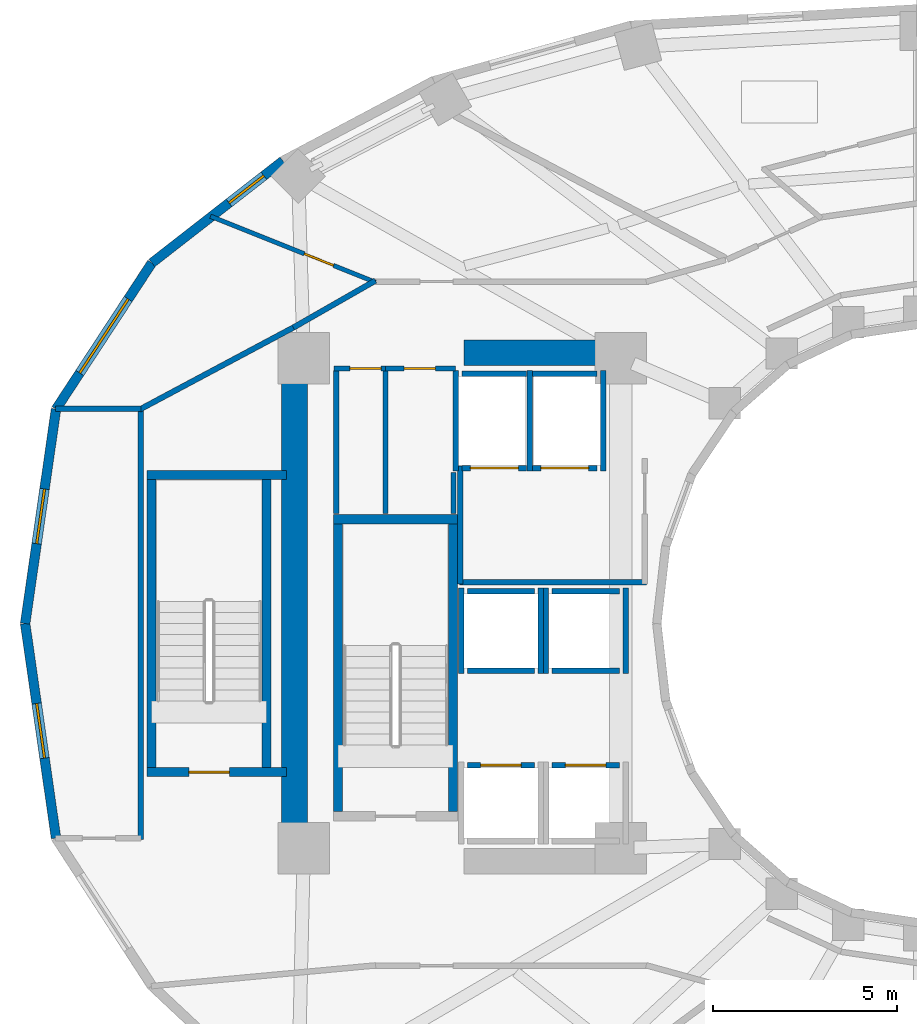
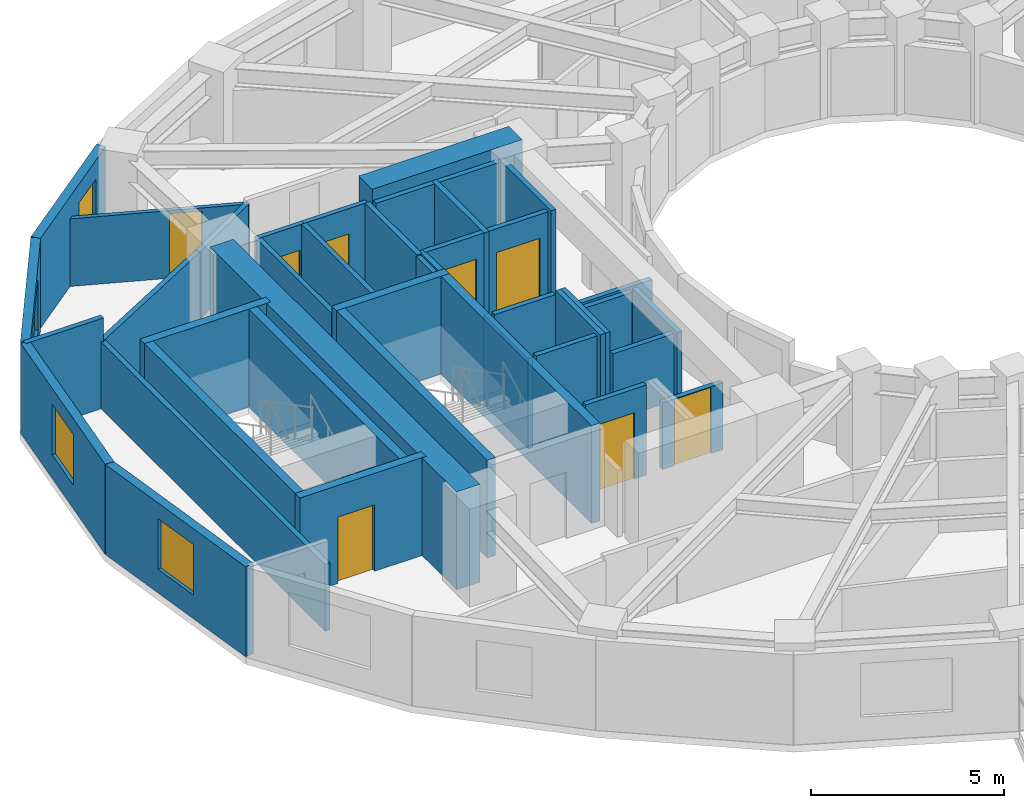
# One storey, part 4 of 9: 42 walls, 8 doors, 4 windows, 12 openings.
"""IFC4 building model written with IfcOpenShell, lengths in metres."""

import ifcopenshell
import ifcopenshell.guid

model = None  # the IFC model being written
_history = None  # IfcOwnerHistory: only IFC2X3 demands one
_inside = {}  # id of a spatial element -> (the spatial element, [elements in it])
_under = {}  # id of a project, library or spatial element -> (it, [spatial elements below it])
_declared = {}  # id of a project -> (the project, [libraries it declares])
_typed = {}  # id of a type object -> (the type object, [elements of that type])
_made_of = {}  # id of a material, layer set ... -> (it, [elements and type objects made of it])


def new_model(schema):
    """Start an empty IFC model of exactly this schema.

    Asked for "IFC4X3", IfcOpenShell would pick the latest addendum, in which some entities
    have other attributes; the version numbers below select the first issue.
    IFC2X3 requires an IfcOwnerHistory on every rooted entity: one is made here for all.
    """
    global model, _history
    if schema == "IFC4X3":
        model = ifcopenshell.file(schema_version=(4, 3, 0, 0))
    else:
        model = ifcopenshell.file(schema=schema)
    _inside.clear()
    _under.clear()
    _declared.clear()
    _typed.clear()
    _made_of.clear()
    _history = None
    if model.schema == "IFC2X3":
        org = make("IfcOrganization", Name="unknown")
        user = make(
            "IfcPersonAndOrganization",
            ThePerson=make("IfcPerson", FamilyName="unknown"),
            TheOrganization=org,
        )
        app = make(
            "IfcApplication",
            ApplicationDeveloper=org,
            Version="unknown",
            ApplicationFullName="unknown",
            ApplicationIdentifier="unknown",
        )
        _history = make(
            "IfcOwnerHistory",
            OwningUser=user,
            OwningApplication=app,
            ChangeAction="ADDED",
            CreationDate=0,
        )
    return model


def make(cls, **values):
    """One entity of the class cls with the attributes given. An attribute that is None is left unset."""
    return model.create_entity(
        cls, **{name: value for name, value in values.items() if value is not None}
    )


def rooted(cls, **values):
    """An entity with a GlobalId (a new one), such as an element, a storey or a relation."""
    return make(cls, GlobalId=ifcopenshell.guid.new(), OwnerHistory=_history, **values)


def si_unit(unit_type, name, prefix=None):
    """IfcSIUnit, for example si_unit("LENGTHUNIT", "METRE", prefix="MILLI")."""
    return make("IfcSIUnit", UnitType=unit_type, Prefix=prefix, Name=name)


def assignment(units):
    """IfcUnitAssignment: the units of a project."""
    return None if units is None else make("IfcUnitAssignment", Units=units)


def point(xyz):
    """IfcCartesianPoint."""
    return None if xyz is None else make("IfcCartesianPoint", Coordinates=xyz)


def direction(xyz):
    """IfcDirection."""
    return None if xyz is None else make("IfcDirection", DirectionRatios=xyz)


def frame(location, z_axis=None, x_axis=None):
    """IfcAxis2Placement3D, a coordinate frame: its origin and axes. An axis left out is left unset."""
    return make(
        "IfcAxis2Placement3D",
        Location=point(location),
        Axis=direction(z_axis),
        RefDirection=direction(x_axis),
    )


def frame_2d(location, x_axis=None):
    """IfcAxis2Placement2D, a coordinate frame in the plane: its origin and x axis."""
    return make(
        "IfcAxis2Placement2D", Location=point(location), RefDirection=direction(x_axis)
    )


def origin():
    """The frame at (0, 0, 0) with its axes left unset."""
    return frame((0.0, 0.0, 0.0))


def place(relative_to, where):
    """IfcLocalPlacement: puts the frame where relative to a parent placement (None: the world)."""
    return make(
        "IfcLocalPlacement", PlacementRelTo=relative_to, RelativePlacement=where
    )


def context(
    kind, dimensions, precision=None, world=None, true_north=None, identifier=None
):
    """IfcGeometricRepresentationContext, for example the 3D "Model" context."""
    return make(
        "IfcGeometricRepresentationContext",
        ContextIdentifier=identifier,
        ContextType=kind,
        CoordinateSpaceDimension=dimensions,
        Precision=precision,
        WorldCoordinateSystem=world,
        TrueNorth=true_north,
    )


def subcontext(parent, identifier, kind, view, scale=None):
    """IfcGeometricRepresentationSubContext, for example "Body" below "Model"."""
    return make(
        "IfcGeometricRepresentationSubContext",
        ContextIdentifier=identifier,
        ContextType=kind,
        ParentContext=parent,
        TargetScale=scale,
        TargetView=view,
    )


def project(units=None, contexts=None):
    """IfcProject with its units and contexts."""
    return rooted(
        "IfcProject",
        Name="project",
        RepresentationContexts=contexts,
        UnitsInContext=assignment(units),
    )


def spatial(cls, under=None, at=None, **own):
    """A site, building, storey or space (cls), placed at a placement, below another one or the project."""
    s = rooted(cls, ObjectPlacement=at, **own)
    if under is not None:
        _under.setdefault(under.id(), (under, []))[1].append(s)
    return s


def profile(cls, at=None, kind="AREA", **sizes):
    """A parametric profile (cls). Its sizes go by their IFC names, for example OverallWidth=200.0."""
    return make(cls, ProfileType=kind, Position=at, **sizes)


def rectangle(**sizes):
    """IfcRectangleProfileDef."""
    return profile("IfcRectangleProfileDef", **sizes)


def extrude(swept, where, along, depth):
    """IfcExtrudedAreaSolid: the profile swept, set in the frame where, extruded along a direction by depth."""
    return make(
        "IfcExtrudedAreaSolid",
        SweptArea=swept,
        Position=where,
        ExtrudedDirection=direction(along),
        Depth=depth,
    )


def shape(context_of_items, identifier, shape_type, items):
    """IfcShapeRepresentation: the items that make up one representation, for example the "Body"."""
    return make(
        "IfcShapeRepresentation",
        ContextOfItems=context_of_items,
        RepresentationIdentifier=identifier,
        RepresentationType=shape_type,
        Items=items,
    )


def material(Name=None, Category=None):
    """IfcMaterial."""
    return make("IfcMaterial", Name=Name, Category=Category)


def layer(
    of_material, thickness, ventilated=None, Name=None, Category=None, Priority=None
):
    """IfcMaterialLayer: one layer of a wall or slab, of a material (None: an air gap)."""
    return make(
        "IfcMaterialLayer",
        Material=of_material,
        LayerThickness=thickness,
        IsVentilated=ventilated,
        Name=Name,
        Category=Category,
        Priority=Priority,
    )


def layer_set(layers, Name=None):
    """IfcMaterialLayerSet."""
    return make("IfcMaterialLayerSet", MaterialLayers=layers, LayerSetName=Name)


def made_of(thing, what):
    """Note that an element or type object is made of a material, layer set ...; save() writes the relation."""
    if what is not None:
        _made_of.setdefault(what.id(), (what, []))[1].append(thing)
    return thing


def type_object(cls, material=None, **own):
    """A type object (cls), such as IfcWallType, which elements share."""
    return made_of(rooted(cls, **own), material)


def element(
    cls,
    number,
    at=None,
    inside=None,
    cuts=None,
    type_object=None,
    material=None,
    context=None,
    identifier="Body",
    shape_type=None,
    held_by="IfcProductDefinitionShape",
    body=None,
    shapes=None,
    **own,
):
    """One element of the class cls, such as IfcWall. Its Tag is "e" and its number.

    at: its placement. inside: the storey or other place that contains it. cuts: it is an
    opening in that element (IfcRelVoidsElement). A single representation is given by context,
    identifier, shape_type and body (its items); several are given by shapes. held_by: the class
    of the entity that holds the representations. save() writes the other relations.
    """
    e = rooted(cls, Tag="e%d" % number, ObjectPlacement=at, **own)
    if body is not None:
        shapes = [shape(context, identifier, shape_type, body)]
    if shapes is not None:
        e.Representation = make(held_by, Representations=shapes)
    if inside is not None:
        _inside.setdefault(inside.id(), (inside, []))[1].append(e)
    if cuts is not None:
        rooted(
            "IfcRelVoidsElement", RelatingBuildingElement=cuts, RelatedOpeningElement=e
        )
    if type_object is not None:
        _typed.setdefault(type_object.id(), (type_object, []))[1].append(e)
    return made_of(e, material)


def fill(opening, filler):
    """IfcRelFillsElement: the door or window that sits in an opening."""
    return rooted(
        "IfcRelFillsElement",
        RelatingOpeningElement=opening,
        RelatedBuildingElement=filler,
    )


def aggregate(whole, parts):
    """IfcRelAggregates: a whole, such as a stair, and the parts it consists of."""
    return rooted("IfcRelAggregates", RelatingObject=whole, RelatedObjects=parts)


def save(model, path):
    """Write the relations noted so far, then the file.

    IfcRelAggregates (storeys below a building ...), IfcRelContainedInSpatialStructure (elements
    in a storey), IfcRelDefinesByType, IfcRelAssociatesMaterial and IfcRelDeclares: one each for
    every whole, place, type object, material and project.
    """
    for whole, parts in _under.values():
        aggregate(whole, parts)
    for where, things in _inside.values():
        rooted(
            "IfcRelContainedInSpatialStructure",
            RelatedElements=things,
            RelatingStructure=where,
        )
    for kind, things in _typed.values():
        rooted("IfcRelDefinesByType", RelatedObjects=things, RelatingType=kind)
    for what, things in _made_of.values():
        rooted("IfcRelAssociatesMaterial", RelatedObjects=things, RelatingMaterial=what)
    for by, libraries in _declared.values():
        rooted("IfcRelDeclares", RelatingContext=by, RelatedDefinitions=libraries)
    model.write(path)


model = new_model("IFC4")

# Units and contexts
model_context = context("Model", 3, precision=1e-05, world=origin(), true_north=direction((0.0, 1.0)))
body_context = subcontext(model_context, "Body", "Model", "MODEL_VIEW")
ifc_project = project(units=[si_unit("LENGTHUNIT", "METRE"), si_unit("AREAUNIT", "SQUARE_METRE"), si_unit("VOLUMEUNIT", "CUBIC_METRE"), si_unit("PLANEANGLEUNIT", "RADIAN"), si_unit("MASSUNIT", "GRAM", prefix="KILO")], contexts=[model_context])

# Site, building, storey
site_placement = place(None, origin())
site = spatial("IfcSite", under=ifc_project, at=site_placement, CompositionType="ELEMENT")
building_placement = place(site_placement, origin())
building = spatial("IfcBuilding", under=site, at=building_placement, Name="Solvane Sanctuary Tower", CompositionType="ELEMENT")
storey_placement = place(building_placement, frame((0.0, 0.0, 98.0)))
storey = spatial("IfcBuildingStorey", under=building, at=storey_placement, Name="L29", CompositionType="ELEMENT", Elevation=98.0)

# Walls
ifc_material_1 = material(Name="Concrete C60/75", Category="concrete")
ifc_layer_1 = layer(ifc_material_1, 0.699951171875, Name="Concrete C60/75")
ifc_layer_set_1 = layer_set([ifc_layer_1], Name="Concrete C60/75")
wall_type_1 = type_object("IfcWallType", Name="Wall W-CORE-700", PredefinedType="SHEAR", material=ifc_layer_set_1)
wall_1_placement = place(storey_placement, frame((15.050048828125, 17.050048828125, 0.0), z_axis=(0.0, 0.0, 1.0), x_axis=(0.0, 1.0, 0.0)))
element("IfcWall", 1, at=wall_1_placement, inside=storey, type_object=wall_type_1, Name="L29 Core Shear Wall WC-W", PredefinedType="SHEAR", context=body_context, shape_type="SweptSolid", body=[
    extrude(rectangle(XDim=12.800048828125, YDim=0.699951171875, at=frame_2d((6.39990234375, 0.0))), origin(), (0.0, 0.0, 1.0), 3.10009765625),
])
wall_2_placement = place(storey_placement, frame((19.64990234375, 30.35009765625, 0.0), z_axis=(0.0, 0.0, 1.0), x_axis=(1.0, 0.0, 0.0)))
element("IfcWall", 2, at=wall_2_placement, inside=storey, type_object=wall_type_1, Name="L29 Core Shear Wall WC-N", PredefinedType="SHEAR", context=body_context, shape_type="SweptSolid", body=[
    extrude(rectangle(XDim=4.5, YDim=0.699951171875, at=frame_2d((2.25, 0.0))), origin(), (0.0, 0.0, 1.0), 3.10009765625),
])
ifc_material_2 = material(Name="Acoustic Gypsum Partition Board")
ifc_layer_2 = layer(ifc_material_2, 0.14990234375, Name="Acoustic Gypsum Partition Board")
ifc_layer_set_2 = layer_set([ifc_layer_2], Name="Acoustic Gypsum Partition Board")
wall_type_2 = type_object("IfcWallType", Name="Wall W-CORR-150", PredefinedType="PARTITIONING", material=ifc_layer_set_2)
wall_3_placement = place(storey_placement, frame((19.52001953125, 24.1201171875, 0.0), z_axis=(0.0, 0.0, 1.0), x_axis=(1.0, 0.0, 0.0)))
element("IfcWall", 3, at=wall_3_placement, inside=storey, type_object=wall_type_2, Name="L29 West Firefighting Lobby South Wall", PredefinedType="PARTITIONING", context=body_context, shape_type="SweptSolid", body=[
    extrude(rectangle(XDim=5.080078125, YDim=0.14990234375, at=frame_2d((2.5400390625, 0.0))), origin(), (0.0, 0.0, 1.0), 2.1201171875),
])
wall_4_placement = place(storey_placement, frame((19.550048828125, 24.080078125, 0.0), z_axis=(0.0, 0.0, 1.0), x_axis=(0.0, 1.0, 0.0)))
element("IfcWall", 4, at=wall_4_placement, inside=storey, type_object=wall_type_2, Name="L29 West Firefighting Lobby West Wall", PredefinedType="PARTITIONING", context=body_context, shape_type="SweptSolid", body=[
    extrude(rectangle(XDim=3.199951171875, YDim=0.14990234375, at=frame_2d((1.60009765625, 0.0))), origin(), (0.0, 0.0, 1.0), 2.85498046875),
])
wall_5_placement = place(storey_placement, frame((10.8798828125, 17.134765625, 0.0), z_axis=(0.0, 0.0, 1.0), x_axis=(0.0, 1.0, 0.0)))
element("IfcWall", 5, at=wall_5_placement, inside=storey, type_object=wall_type_2, Name="L29 West Shoulder Back Wall", PredefinedType="PARTITIONING", context=body_context, shape_type="SweptSolid", body=[
    extrude(rectangle(XDim=11.73046875, YDim=0.14990234375, at=frame_2d((5.865234375, 0.0))), origin(), (0.0, 0.0, 1.0), 2.1201171875),
])
wall_6_placement = place(storey_placement, frame((8.558349609375, 28.8251953125, 0.0), z_axis=(0.0, 0.0, 1.0), x_axis=(1.0, 0.0, 0.0)))
element("IfcWall", 6, at=wall_6_placement, inside=storey, type_object=wall_type_2, Name="L29 West Shoulder North Wall", PredefinedType="PARTITIONING", context=body_context, shape_type="SweptSolid", body=[
    extrude(rectangle(XDim=2.321533203125, YDim=0.14990234375, at=frame_2d((1.16064453125, 0.0))), origin(), (0.0, 0.0, 1.0), 2.85498046875),
])
wall_7_placement = place(storey_placement, frame((10.8447265625, 28.806396484375, 0.0), z_axis=(0.0, 0.0, 1.0), x_axis=(0.88227840565, 0.470727962759, 0.0)))
element("IfcWall", 7, at=wall_7_placement, inside=storey, type_object=wall_type_2, Name="L29 NW Corner Closer 1", PredefinedType="PARTITIONING", context=body_context, shape_type="SweptSolid", body=[
    extrude(rectangle(XDim=4.806396484375, YDim=0.14990234375, at=frame_2d((2.4033203125, 0.0))), origin(), (0.0, 0.0, 1.0), 2.14208984375),
])
wall_8_placement = place(storey_placement, frame((17.243408203125, 32.3046875, 0.0), z_axis=(0.0, 0.0, 1.0), x_axis=(-0.867991349648, -0.496579315857, 0.0)))
element("IfcWall", 8, at=wall_8_placement, inside=storey, type_object=wall_type_2, Name="L29 NW Corner Wing Wall", PredefinedType="PARTITIONING", context=body_context, shape_type="SweptSolid", body=[
    extrude(rectangle(XDim=2.56689453125, YDim=0.14990234375, at=frame_2d((1.283447265625, 0.0))), origin(), (0.0, 0.0, 1.0), 2.14208984375),
])

# Wall, opening, window
ifc_material_3 = material(Name="Precast concrete C40/50", Category="concrete")
ifc_layer_3 = layer(ifc_material_3, 0.260009765625, Name="Precast concrete C40/50")
ifc_layer_set_3 = layer_set([ifc_layer_3], Name="Precast concrete C40/50")
wall_type_3 = type_object("IfcWallType", Name="Wall W-EXT-250", PredefinedType="STANDARD", material=ifc_layer_set_3)
wall_9_placement = place(storey_placement, frame((14.734130859375, 35.55322265625, 0.0), z_axis=(0.0, 0.0, 1.0), x_axis=(-0.789127449954, -0.614229491094, 0.0)))
wall_9 = element("IfcWall", 9, at=wall_9_placement, inside=storey, type_object=wall_type_3, Name="L29 Ceramic-Printed Facade Wall 09", PredefinedType="STANDARD", context=body_context, shape_type="SweptSolid", body=[
    extrude(rectangle(XDim=4.504638671875, YDim=0.260009765625, at=frame_2d((2.25244140625, 0.0))), origin(), (0.0, 0.0, 1.0), 2.85009765625),
])
opening_1_placement = place(wall_9_placement, frame((0.65478515625, 0.0, 0.75)))
opening_1 = element("IfcOpeningElement", 10, at=opening_1_placement, cuts=wall_9, Name="Opening WN-OPER-1200", PredefinedType="OPENING", context=body_context, shape_type="SweptSolid", body=[
    extrude(rectangle(XDim=1.199951171875, YDim=1.5, at=frame_2d((0.60009765625, 0.75))), frame((0.0, 0.139892578125, 0.0), z_axis=(0.0, -1.0, 0.0), x_axis=(1.0, 0.0, 0.0)), (0.0, 0.0, 1.0), 0.280029296875),
])
ifc_material_4 = material(Name="Dark Ceramic-Fritted Low-E Glass", Category="glass")
window_type_1 = type_object("IfcWindowType", Name="Window WN-OPER-1200", PartitioningType="SINGLE_PANEL", PredefinedType="WINDOW", material=ifc_material_4)
window_1_placement = place(opening_1_placement, origin())
window_1 = element("IfcWindow", 11, at=window_1_placement, inside=storey, type_object=window_type_1, Name="L29 Operable Facade Window 09", OverallHeight=1.5, OverallWidth=1.199951171875, PartitioningType="SINGLE_PANEL", PredefinedType="WINDOW", context=body_context, shape_type="SweptSolid", body=[
    extrude(rectangle(XDim=1.199951171875, YDim=1.5, at=frame_2d((0.60009765625, 0.75))), frame((0.0, 0.030029296875, 0.0), z_axis=(0.0, -1.0, 0.0), x_axis=(1.0, 0.0, 0.0)), (0.0, 0.0, 1.0), 0.06005859375),
])
fill(opening_1, window_1)

wall_10_placement = place(storey_placement, frame((11.179443359375, 32.786376953125, 0.0), z_axis=(0.0, 0.0, 1.0), x_axis=(-0.548283220945, -0.836292717672, 0.0)))
wall_10 = element("IfcWall", 12, at=wall_10_placement, inside=storey, type_object=wall_type_3, Name="L29 Ceramic-Printed Facade Wall 10", PredefinedType="STANDARD", context=body_context, shape_type="SweptSolid", body=[
    extrude(rectangle(XDim=4.744384765625, YDim=0.260009765625, at=frame_2d((2.3720703125, 0.0))), origin(), (0.0, 0.0, 1.0), 2.85009765625),
])
opening_2_placement = place(wall_10_placement, frame((1.172119140625, 0.0, 0.75)))
opening_2 = element("IfcOpeningElement", 13, at=opening_2_placement, cuts=wall_10, Name="Opening WN-RIB-2400", PredefinedType="OPENING", context=body_context, shape_type="SweptSolid", body=[
    extrude(rectangle(XDim=2.39990234375, YDim=1.699951171875, at=frame_2d((1.199951171875, 0.85009765625))), frame((0.0, 0.139892578125, 0.0), z_axis=(0.0, -1.0, 0.0), x_axis=(1.0, 0.0, 0.0)), (0.0, 0.0, 1.0), 0.280029296875),
])
window_type_2 = type_object("IfcWindowType", Name="Window WN-RIB-2400", PartitioningType="SINGLE_PANEL", PredefinedType="WINDOW", material=ifc_material_4)
window_2_placement = place(opening_2_placement, origin())
window_2 = element("IfcWindow", 14, at=window_2_placement, inside=storey, type_object=window_type_2, Name="L29 Operable Facade Window 10", OverallHeight=1.699951171875, OverallWidth=2.39990234375, PartitioningType="SINGLE_PANEL", PredefinedType="WINDOW", context=body_context, shape_type="SweptSolid", body=[
    extrude(rectangle(XDim=2.39990234375, YDim=1.699951171875, at=frame_2d((1.199951171875, 0.85009765625))), frame((0.0, 0.030029296875, 0.0), z_axis=(0.0, -1.0, 0.0), x_axis=(1.0, 0.0, 0.0)), (0.0, 0.0, 1.0), 0.06005859375),
])
fill(opening_2, window_2)

wall_11_placement = place(storey_placement, frame((8.578125, 28.818603515625, 0.0), z_axis=(0.0, 0.0, 1.0), x_axis=(-0.142572472068, -0.98978436551, 0.0)))
wall_11 = element("IfcWall", 15, at=wall_11_placement, inside=storey, type_object=wall_type_3, Name="L29 Ceramic-Printed Facade Wall 11", PredefinedType="STANDARD", context=body_context, shape_type="SweptSolid", body=[
    extrude(rectangle(XDim=5.878662109375, YDim=0.260009765625, at=frame_2d((2.939453125, 0.0))), origin(), (0.0, 0.0, 1.0), 2.85009765625),
])
opening_3_placement = place(wall_11_placement, frame((2.189453125, 0.0, 0.75)))
opening_3 = element("IfcOpeningElement", 16, at=opening_3_placement, cuts=wall_11, Name="Opening WN-OPER-1500", PredefinedType="OPENING", context=body_context, shape_type="SweptSolid", body=[
    extrude(rectangle(XDim=1.5, YDim=1.60009765625, at=frame_2d((0.75, 0.800048828125))), frame((0.0, 0.139892578125, 0.0), z_axis=(0.0, -1.0, 0.0), x_axis=(1.0, 0.0, 0.0)), (0.0, 0.0, 1.0), 0.280029296875),
])
window_type_3 = type_object("IfcWindowType", Name="Window WN-OPER-1500", PartitioningType="SINGLE_PANEL", PredefinedType="WINDOW", material=ifc_material_4)
window_3_placement = place(opening_3_placement, origin())
window_3 = element("IfcWindow", 17, at=window_3_placement, inside=storey, type_object=window_type_3, Name="L29 Operable Facade Window 11", OverallHeight=1.60009765625, OverallWidth=1.5, PartitioningType="SINGLE_PANEL", PredefinedType="WINDOW", context=body_context, shape_type="SweptSolid", body=[
    extrude(rectangle(XDim=1.5, YDim=1.60009765625, at=frame_2d((0.75, 0.800048828125))), frame((0.0, 0.030029296875, 0.0), z_axis=(0.0, -1.0, 0.0), x_axis=(1.0, 0.0, 0.0)), (0.0, 0.0, 1.0), 0.06005859375),
])
fill(opening_3, window_3)

wall_12_placement = place(storey_placement, frame((7.739990234375, 23.0, 0.0), z_axis=(0.0, 0.0, 1.0), x_axis=(0.142572472068, -0.98978436551, 0.0)))
wall_12 = element("IfcWall", 18, at=wall_12_placement, inside=storey, type_object=wall_type_3, Name="L29 Ceramic-Printed Facade Wall 12", PredefinedType="STANDARD", context=body_context, shape_type="SweptSolid", body=[
    extrude(rectangle(XDim=5.878662109375, YDim=0.260009765625, at=frame_2d((2.939453125, 0.0))), origin(), (0.0, 0.0, 1.0), 2.85009765625),
])
opening_4_placement = place(wall_12_placement, frame((2.189453125, 0.0, 0.75)))
opening_4 = element("IfcOpeningElement", 19, at=opening_4_placement, cuts=wall_12, Name="Opening WN-OPER-1500", PredefinedType="OPENING", context=body_context, shape_type="SweptSolid", body=[
    extrude(rectangle(XDim=1.5, YDim=1.60009765625, at=frame_2d((0.75, 0.800048828125))), frame((0.0, 0.139892578125, 0.0), z_axis=(0.0, -1.0, 0.0), x_axis=(1.0, 0.0, 0.0)), (0.0, 0.0, 1.0), 0.280029296875),
])
window_4_placement = place(opening_4_placement, origin())
window_4 = element("IfcWindow", 20, at=window_4_placement, inside=storey, type_object=window_type_3, Name="L29 Operable Facade Window 12", OverallHeight=1.60009765625, OverallWidth=1.5, PartitioningType="SINGLE_PANEL", PredefinedType="WINDOW", context=body_context, shape_type="SweptSolid", body=[
    extrude(rectangle(XDim=1.5, YDim=1.60009765625, at=frame_2d((0.75, 0.800048828125))), frame((0.0, 0.030029296875, 0.0), z_axis=(0.0, -1.0, 0.0), x_axis=(1.0, 0.0, 0.0)), (0.0, 0.0, 1.0), 0.06005859375),
])
fill(opening_4, window_4)

# Wall, opening, door
ifc_layer_4 = layer(ifc_material_2, 0.1201171875, Name="Acoustic Gypsum Partition Board")
ifc_layer_set_4 = layer_set([ifc_layer_4], Name="Acoustic Gypsum Partition Board")
wall_type_4 = type_object("IfcWallType", Name="Wall W-MOV-100", PredefinedType="MOVABLE", material=ifc_layer_set_4)
wall_13_placement = place(storey_placement, frame((17.246337890625, 32.261474609375, 0.0), z_axis=(0.0, 0.0, 1.0), x_axis=(-0.928511602422, 0.371303385614, 0.0)))
wall_13 = element("IfcWall", 21, at=wall_13_placement, inside=storey, type_object=wall_type_4, Name="L29 NW Corner Suite Partition", PredefinedType="MOVABLE", context=body_context, shape_type="SweptSolid", body=[
    extrude(rectangle(XDim=4.822265625, YDim=0.1201171875, at=frame_2d((2.4111328125, 0.0))), origin(), (0.0, 0.0, 1.0), 2.14208984375),
])
opening_5_placement = place(wall_13_placement, frame((1.22802734375, 0.0, 0.0)))
opening_5 = element("IfcOpeningElement", 22, at=opening_5_placement, cuts=wall_13, Name="Opening D-L29-16", PredefinedType="OPENING", context=body_context, shape_type="SweptSolid", body=[
    extrude(rectangle(XDim=0.85009765625, YDim=2.050048828125, at=frame_2d((0.425048828125, 1.02490234375))), frame((0.0, 0.070068359375, 0.0), z_axis=(0.0, -1.0, 0.0), x_axis=(1.0, 0.0, 0.0)), (0.0, 0.0, 1.0), 0.14013671875),
])
ifc_material_5 = material(Name="Architectural Stainless Steel 316", Category="steel")
door_type_1 = type_object("IfcDoorType", Name="Door D-RISER", OperationType="NOTDEFINED", PredefinedType="DOOR", material=ifc_material_5)
door_1_placement = place(opening_5_placement, origin())
door_1 = element("IfcDoor", 23, at=door_1_placement, inside=storey, type_object=door_type_1, Name="L29 NW Corner Suite Door", OperationType="SINGLE_SWING_RIGHT", OverallHeight=2.050048828125, OverallWidth=0.85009765625, PredefinedType="DOOR", context=body_context, shape_type="SweptSolid", body=[
    extrude(rectangle(XDim=0.85009765625, YDim=2.050048828125, at=frame_2d((0.425048828125, 1.02490234375))), frame((0.0, 0.02490234375, 0.0), z_axis=(0.0, -1.0, 0.0), x_axis=(1.0, 0.0, 0.0)), (0.0, 0.0, 1.0), 0.050048828125),
])
fill(opening_5, door_1)

ifc_material_6 = material(Name="Concrete C50/60", Category="concrete")
ifc_layer_5 = layer(ifc_material_6, 0.14990234375, Name="Concrete C50/60")
ifc_layer_set_5 = layer_set([ifc_layer_5], Name="Concrete C50/60")
wall_type_5 = type_object("IfcWallType", Name="Wall W-SHAFT-150", PredefinedType="SOLIDWALL", material=ifc_layer_set_5)
wall_14_placement = place(storey_placement, frame((19.739990234375, 19.159912109375, 0.0), z_axis=(0.0, 0.0, 1.0), x_axis=(1.0, 0.0, 0.0)))
wall_14 = element("IfcWall", 24, at=wall_14_placement, inside=storey, type_object=wall_type_5, Name="L29 PL-1 Lift Shaft Wall F", PredefinedType="SOLIDWALL", context=body_context, shape_type="SweptSolid", body=[
    extrude(rectangle(XDim=1.820068359375, YDim=0.14990234375, at=frame_2d((0.91015625, 0.0))), origin(), (0.0, 0.0, 1.0), 2.85498046875),
])
opening_6_placement = place(wall_14_placement, frame((0.360107421875, 0.0, 0.0)))
opening_6 = element("IfcOpeningElement", 25, at=opening_6_placement, cuts=wall_14, Name="Opening LD-L29-01", PredefinedType="OPENING", context=body_context, shape_type="SweptSolid", body=[
    extrude(rectangle(XDim=1.10009765625, YDim=2.10009765625, at=frame_2d((0.550048828125, 1.050048828125))), frame((0.0, 0.0849609375, 0.0), z_axis=(0.0, -1.0, 0.0), x_axis=(1.0, 0.0, 0.0)), (0.0, 0.0, 1.0), 0.169921875),
])
door_type_2 = type_object("IfcDoorType", Name="Door LD-PASS-1100", OperationType="NOTDEFINED", PredefinedType="DOOR", material=ifc_material_5)
door_2_placement = place(opening_6_placement, origin())
door_2 = element("IfcDoor", 26, at=door_2_placement, inside=storey, type_object=door_type_2, Name="L29 PL-1 Lift Landing Door", OperationType="DOUBLE_DOOR_SLIDING", OverallHeight=2.10009765625, OverallWidth=1.10009765625, PredefinedType="DOOR", context=body_context, shape_type="SweptSolid", body=[
    extrude(rectangle(XDim=1.10009765625, YDim=2.10009765625, at=frame_2d((0.550048828125, 1.050048828125))), frame((0.0, 0.02490234375, 0.0), z_axis=(0.0, -1.0, 0.0), x_axis=(1.0, 0.0, 0.0)), (0.0, 0.0, 1.0), 0.050048828125),
])
fill(opening_6, door_2)

wall_15_placement = place(storey_placement, frame((22.0400390625, 19.159912109375, 0.0), z_axis=(0.0, 0.0, 1.0), x_axis=(1.0, 0.0, 0.0)))
wall_15 = element("IfcWall", 27, at=wall_15_placement, inside=storey, type_object=wall_type_5, Name="L29 PL-2 Lift Shaft Wall F", PredefinedType="SOLIDWALL", context=body_context, shape_type="SweptSolid", body=[
    extrude(rectangle(XDim=1.820068359375, YDim=0.14990234375, at=frame_2d((0.91015625, 0.0))), origin(), (0.0, 0.0, 1.0), 2.1201171875),
])
opening_7_placement = place(wall_15_placement, frame((0.360107421875, 0.0, 0.0)))
opening_7 = element("IfcOpeningElement", 28, at=opening_7_placement, cuts=wall_15, Name="Opening LD-L29-02", PredefinedType="OPENING", context=body_context, shape_type="SweptSolid", body=[
    extrude(rectangle(XDim=1.10009765625, YDim=2.10009765625, at=frame_2d((0.550048828125, 1.050048828125))), frame((0.0, 0.0849609375, 0.0), z_axis=(0.0, -1.0, 0.0), x_axis=(1.0, 0.0, 0.0)), (0.0, 0.0, 1.0), 0.169921875),
])
door_3_placement = place(opening_7_placement, origin())
door_3 = element("IfcDoor", 29, at=door_3_placement, inside=storey, type_object=door_type_2, Name="L29 PL-2 Lift Landing Door", OperationType="DOUBLE_DOOR_SLIDING", OverallHeight=2.10009765625, OverallWidth=1.10009765625, PredefinedType="DOOR", context=body_context, shape_type="SweptSolid", body=[
    extrude(rectangle(XDim=1.10009765625, YDim=2.10009765625, at=frame_2d((0.550048828125, 1.050048828125))), frame((0.0, 0.02490234375, 0.0), z_axis=(0.0, -1.0, 0.0), x_axis=(1.0, 0.0, 0.0)), (0.0, 0.0, 1.0), 0.050048828125),
])
fill(opening_7, door_3)

# Walls
for number, where, z_axis, x_axis, name in (
    (30, (19.739990234375, 21.719970703125, 0.0), (0.0, 0.0, 1.0), (1.0, 0.0, 0.0), "L29 PM-1 Lift Shaft Wall F"),
    (31, (19.739990234375, 23.8798828125, 0.0), (0.0, 0.0, 1.0), (1.0, 0.0, 0.0), "L29 PM-1 Lift Shaft Wall B"),
):
    element("IfcWall", number, at=place(storey_placement, frame(where, z_axis=z_axis, x_axis=x_axis)), inside=storey, type_object=wall_type_5, Name=name, PredefinedType="SOLIDWALL", context=body_context, shape_type="SweptSolid", body=[
        extrude(rectangle(XDim=1.820068359375, YDim=0.14990234375, at=frame_2d((0.91015625, 0.0))), origin(), (0.0, 0.0, 1.0), 2.85498046875),
    ])
for number, where, z_axis, x_axis, name in (
    (32, (19.570068359375, 21.639892578125, 0.0), (0.0, 0.0, 1.0), (0.0, 1.0, 0.0), "L29 PM-1 Lift Shaft Wall S1"),
    (33, (21.72998046875, 21.639892578125, 0.0), (0.0, 0.0, 1.0), (0.0, 1.0, 0.0), "L29 PM-1 Lift Shaft Wall S2"),
):
    element("IfcWall", number, at=place(storey_placement, frame(where, z_axis=z_axis, x_axis=x_axis)), inside=storey, type_object=wall_type_5, Name=name, PredefinedType="SOLIDWALL", context=body_context, shape_type="SweptSolid", body=[
        extrude(rectangle(XDim=2.320068359375, YDim=0.14990234375, at=frame_2d((1.16015625, 0.0))), origin(), (0.0, 0.0, 1.0), 2.85498046875),
    ])
for number, where, z_axis, x_axis, name in (
    (34, (22.0400390625, 21.719970703125, 0.0), (0.0, 0.0, 1.0), (1.0, 0.0, 0.0), "L29 PH-1 Lift Shaft Wall F"),
    (35, (22.0400390625, 23.8798828125, 0.0), (0.0, 0.0, 1.0), (1.0, 0.0, 0.0), "L29 PH-1 Lift Shaft Wall B"),
):
    element("IfcWall", number, at=place(storey_placement, frame(where, z_axis=z_axis, x_axis=x_axis)), inside=storey, type_object=wall_type_5, Name=name, PredefinedType="SOLIDWALL", context=body_context, shape_type="SweptSolid", body=[
        extrude(rectangle(XDim=1.820068359375, YDim=0.14990234375, at=frame_2d((0.91015625, 0.0))), origin(), (0.0, 0.0, 1.0), 2.1201171875),
    ])
wall_16_placement = place(storey_placement, frame((21.8701171875, 21.639892578125, 0.0), z_axis=(0.0, 0.0, 1.0), x_axis=(0.0, 1.0, 0.0)))
element("IfcWall", 36, at=wall_16_placement, inside=storey, type_object=wall_type_5, Name="L29 PH-1 Lift Shaft Wall S1", PredefinedType="SOLIDWALL", context=body_context, shape_type="SweptSolid", body=[
    extrude(rectangle(XDim=2.320068359375, YDim=0.14990234375, at=frame_2d((1.16015625, 0.0))), origin(), (0.0, 0.0, 1.0), 2.85498046875),
])
wall_17_placement = place(storey_placement, frame((24.030029296875, 21.639892578125, 0.0), z_axis=(0.0, 0.0, 1.0), x_axis=(0.0, 1.0, 0.0)))
element("IfcWall", 37, at=wall_17_placement, inside=storey, type_object=wall_type_5, Name="L29 PH-1 Lift Shaft Wall S2", PredefinedType="SOLIDWALL", context=body_context, shape_type="SweptSolid", body=[
    extrude(rectangle(XDim=2.320068359375, YDim=0.14990234375, at=frame_2d((1.16015625, 0.0))), origin(), (0.0, 0.0, 1.0), 2.1201171875),
])

# Wall, opening, door
wall_18_placement = place(storey_placement, frame((19.590087890625, 27.219970703125, 0.0), z_axis=(0.0, 0.0, 1.0), x_axis=(1.0, 0.0, 0.0)))
wall_18 = element("IfcWall", 38, at=wall_18_placement, inside=storey, type_object=wall_type_5, Name="L29 FFL-1 Lift Shaft Wall F", PredefinedType="SOLIDWALL", context=body_context, shape_type="SweptSolid", body=[
    extrude(rectangle(XDim=1.760009765625, YDim=0.14990234375, at=frame_2d((0.8798828125, 0.0))), origin(), (0.0, 0.0, 1.0), 2.85498046875),
])
opening_8_placement = place(wall_18_placement, frame((0.22998046875, 0.0, 0.0)))
opening_8 = element("IfcOpeningElement", 39, at=opening_8_placement, cuts=wall_18, Name="Opening LD-L29-05", PredefinedType="OPENING", context=body_context, shape_type="SweptSolid", body=[
    extrude(rectangle(XDim=1.300048828125, YDim=2.10009765625, at=frame_2d((0.64990234375, 1.050048828125))), frame((0.0, 0.0849609375, 0.0), z_axis=(0.0, -1.0, 0.0), x_axis=(1.0, 0.0, 0.0)), (0.0, 0.0, 1.0), 0.169921875),
])
door_type_3 = type_object("IfcDoorType", Name="Door LD-FFL-1300", OperationType="NOTDEFINED", PredefinedType="DOOR", material=ifc_material_5)
door_4_placement = place(opening_8_placement, origin())
door_4 = element("IfcDoor", 40, at=door_4_placement, inside=storey, type_object=door_type_3, Name="L29 FFL-1 Lift Landing Door", OperationType="DOUBLE_DOOR_SLIDING", OverallHeight=2.10009765625, OverallWidth=1.300048828125, PredefinedType="DOOR", context=body_context, shape_type="SweptSolid", body=[
    extrude(rectangle(XDim=1.300048828125, YDim=2.10009765625, at=frame_2d((0.64990234375, 1.050048828125))), frame((0.0, 0.02490234375, 0.0), z_axis=(0.0, -1.0, 0.0), x_axis=(1.0, 0.0, 0.0)), (0.0, 0.0, 1.0), 0.050048828125),
])
fill(opening_8, door_4)

# Walls
wall_19_placement = place(storey_placement, frame((19.590087890625, 29.780029296875, 0.0), z_axis=(0.0, 0.0, 1.0), x_axis=(1.0, 0.0, 0.0)))
element("IfcWall", 41, at=wall_19_placement, inside=storey, type_object=wall_type_5, Name="L29 FFL-1 Lift Shaft Wall B", PredefinedType="SOLIDWALL", context=body_context, shape_type="SweptSolid", body=[
    extrude(rectangle(XDim=1.760009765625, YDim=0.14990234375, at=frame_2d((0.8798828125, 0.0))), origin(), (0.0, 0.0, 1.0), 2.85498046875),
])
for number, where, z_axis, x_axis, name in (
    (42, (19.419921875, 27.139892578125, 0.0), (0.0, 0.0, 1.0), (0.0, 1.0, 0.0), "L29 FFL-1 Lift Shaft Wall S1"),
    (43, (21.425048828125, 27.139892578125, 0.0), (0.0, 0.0, 1.0), (0.0, 1.0, 0.0), "L29 FFL-1 Lift Shaft Wall S2"),
):
    element("IfcWall", number, at=place(storey_placement, frame(where, z_axis=z_axis, x_axis=x_axis)), inside=storey, type_object=wall_type_5, Name=name, PredefinedType="SOLIDWALL", context=body_context, shape_type="SweptSolid", body=[
        extrude(rectangle(XDim=2.72021484375, YDim=0.14990234375, at=frame_2d((1.360107421875, 0.0))), origin(), (0.0, 0.0, 1.0), 2.85498046875),
    ])

# Wall, opening, door
wall_20_placement = place(storey_placement, frame((21.5, 27.219970703125, 0.0), z_axis=(0.0, 0.0, 1.0), x_axis=(1.0, 0.0, 0.0)))
wall_20 = element("IfcWall", 44, at=wall_20_placement, inside=storey, type_object=wall_type_5, Name="L29 SVL-1 Lift Shaft Wall F", PredefinedType="SOLIDWALL", context=body_context, shape_type="SweptSolid", body=[
    extrude(rectangle(XDim=1.760009765625, YDim=0.14990234375, at=frame_2d((0.8798828125, 0.0))), origin(), (0.0, 0.0, 1.0), 2.85498046875),
])
opening_9_placement = place(wall_20_placement, frame((0.22998046875, 0.0, 0.0)))
opening_9 = element("IfcOpeningElement", 45, at=opening_9_placement, cuts=wall_20, Name="Opening LD-L29-06", PredefinedType="OPENING", context=body_context, shape_type="SweptSolid", body=[
    extrude(rectangle(XDim=1.300048828125, YDim=2.10009765625, at=frame_2d((0.64990234375, 1.050048828125))), frame((0.0, 0.0849609375, 0.0), z_axis=(0.0, -1.0, 0.0), x_axis=(1.0, 0.0, 0.0)), (0.0, 0.0, 1.0), 0.169921875),
])
door_5_placement = place(opening_9_placement, origin())
door_5 = element("IfcDoor", 46, at=door_5_placement, inside=storey, type_object=door_type_3, Name="L29 SVL-1 Lift Landing Door", OperationType="DOUBLE_DOOR_SLIDING", OverallHeight=2.10009765625, OverallWidth=1.300048828125, PredefinedType="DOOR", context=body_context, shape_type="SweptSolid", body=[
    extrude(rectangle(XDim=1.300048828125, YDim=2.10009765625, at=frame_2d((0.64990234375, 1.050048828125))), frame((0.0, 0.02490234375, 0.0), z_axis=(0.0, -1.0, 0.0), x_axis=(1.0, 0.0, 0.0)), (0.0, 0.0, 1.0), 0.050048828125),
])
fill(opening_9, door_5)

# Walls
wall_21_placement = place(storey_placement, frame((21.5, 29.780029296875, 0.0), z_axis=(0.0, 0.0, 1.0), x_axis=(1.0, 0.0, 0.0)))
element("IfcWall", 47, at=wall_21_placement, inside=storey, type_object=wall_type_5, Name="L29 SVL-1 Lift Shaft Wall B", PredefinedType="SOLIDWALL", context=body_context, shape_type="SweptSolid", body=[
    extrude(rectangle(XDim=1.760009765625, YDim=0.14990234375, at=frame_2d((0.8798828125, 0.0))), origin(), (0.0, 0.0, 1.0), 2.85498046875),
])
wall_22_placement = place(storey_placement, frame((23.429931640625, 27.139892578125, 0.0), z_axis=(0.0, 0.0, 1.0), x_axis=(0.0, 1.0, 0.0)))
element("IfcWall", 48, at=wall_22_placement, inside=storey, type_object=wall_type_5, Name="L29 SVL-1 Lift Shaft Wall S2", PredefinedType="SOLIDWALL", context=body_context, shape_type="SweptSolid", body=[
    extrude(rectangle(XDim=2.72021484375, YDim=0.14990234375, at=frame_2d((1.360107421875, 0.0))), origin(), (0.0, 0.0, 1.0), 2.85498046875),
])
ifc_layer_6 = layer(ifc_material_6, 0.25, Name="Concrete C50/60")
ifc_layer_set_6 = layer_set([ifc_layer_6], Name="Concrete C50/60")
wall_type_6 = type_object("IfcWallType", Name="Wall W-SHAFT-250", PredefinedType="SOLIDWALL", material=ifc_layer_set_6)
wall_23_placement = place(storey_placement, frame((16.10498046875, 25.830078125, 0.0), z_axis=(0.0, 0.0, 1.0), x_axis=(1.0, 0.0, 0.0)))
element("IfcWall", 49, at=wall_23_placement, inside=storey, type_object=wall_type_6, Name="L29 ST-1 Load-Bearing Shaft Wall N", PredefinedType="SOLIDWALL", context=body_context, shape_type="SweptSolid", body=[
    extrude(rectangle(XDim=3.3701171875, YDim=0.25, at=frame_2d((1.68505859375, 0.0))), origin(), (0.0, 0.0, 1.0), 3.10009765625),
])
for number, where, z_axis, x_axis, name in (
    (50, (16.22998046875, 17.89501953125, 0.0), (0.0, 0.0, 1.0), (0.0, 1.0, 0.0), "L29 ST-1 Load-Bearing Shaft Wall W"),
    (51, (19.35009765625, 17.89501953125, 0.0), (0.0, 0.0, 1.0), (0.0, 1.0, 0.0), "L29 ST-1 Load-Bearing Shaft Wall E"),
):
    element("IfcWall", number, at=place(storey_placement, frame(where, z_axis=z_axis, x_axis=x_axis)), inside=storey, type_object=wall_type_6, Name=name, PredefinedType="SOLIDWALL", context=body_context, shape_type="SweptSolid", body=[
        extrude(rectangle(XDim=7.81005859375, YDim=0.25, at=frame_2d((3.905029296875, 0.0))), origin(), (0.0, 0.0, 1.0), 3.10009765625),
    ])

# Wall, opening, door
wall_24_placement = place(storey_placement, frame((11.044921875, 18.969970703125, 0.0), z_axis=(0.0, 0.0, 1.0), x_axis=(1.0, 0.0, 0.0)))
wall_24 = element("IfcWall", 52, at=wall_24_placement, inside=storey, type_object=wall_type_6, Name="L29 ST-3 Load-Bearing Shaft Wall S", PredefinedType="SOLIDWALL", context=body_context, shape_type="SweptSolid", body=[
    extrude(rectangle(XDim=3.781982421875, YDim=0.25, at=frame_2d((1.89111328125, 0.0))), origin(), (0.0, 0.0, 1.0), 3.10009765625),
])
opening_10_placement = place(wall_24_placement, frame((1.135009765625, 0.0, 0.0)))
opening_10 = element("IfcOpeningElement", 53, at=opening_10_placement, cuts=wall_24, Name="Opening D-L29-05", PredefinedType="OPENING", context=body_context, shape_type="SweptSolid", body=[
    extrude(rectangle(XDim=1.10009765625, YDim=2.10009765625, at=frame_2d((0.550048828125, 1.050048828125))), frame((0.0, 0.135009765625, 0.0), z_axis=(0.0, -1.0, 0.0), x_axis=(1.0, 0.0, 0.0)), (0.0, 0.0, 1.0), 0.27001953125),
])
door_type_4 = type_object("IfcDoorType", Name="Door D-STAIR", OperationType="NOTDEFINED", PredefinedType="DOOR", material=ifc_material_5)
door_6_placement = place(opening_10_placement, origin())
door_6 = element("IfcDoor", 54, at=door_6_placement, inside=storey, type_object=door_type_4, Name="L29 ST-3 Exit Stair Fire Door", OperationType="SINGLE_SWING_LEFT", OverallHeight=2.10009765625, OverallWidth=1.10009765625, PredefinedType="DOOR", context=body_context, shape_type="SweptSolid", body=[
    extrude(rectangle(XDim=1.10009765625, YDim=2.10009765625, at=frame_2d((0.550048828125, 1.050048828125))), frame((0.0, 0.02490234375, 0.0), z_axis=(0.0, -1.0, 0.0), x_axis=(1.0, 0.0, 0.0)), (0.0, 0.0, 1.0), 0.050048828125),
])
fill(opening_10, door_6)

# Walls
wall_25_placement = place(storey_placement, frame((11.044921875, 27.030029296875, 0.0), z_axis=(0.0, 0.0, 1.0), x_axis=(1.0, 0.0, 0.0)))
element("IfcWall", 55, at=wall_25_placement, inside=storey, type_object=wall_type_6, Name="L29 ST-3 Load-Bearing Shaft Wall N", PredefinedType="SOLIDWALL", context=body_context, shape_type="SweptSolid", body=[
    extrude(rectangle(XDim=3.781982421875, YDim=0.25, at=frame_2d((1.89111328125, 0.0))), origin(), (0.0, 0.0, 1.0), 3.10009765625),
])
for number, where, z_axis, x_axis, name in (
    (56, (11.169921875, 19.094970703125, 0.0), (0.0, 0.0, 1.0), (0.0, 1.0, 0.0), "L29 ST-3 Load-Bearing Shaft Wall W"),
    (57, (14.2900390625, 19.094970703125, 0.0), (0.0, 0.0, 1.0), (0.0, 1.0, 0.0), "L29 ST-3 Load-Bearing Shaft Wall E"),
):
    element("IfcWall", number, at=place(storey_placement, frame(where, z_axis=z_axis, x_axis=x_axis)), inside=storey, type_object=wall_type_6, Name=name, PredefinedType="SOLIDWALL", context=body_context, shape_type="SweptSolid", body=[
        extrude(rectangle(XDim=7.81005859375, YDim=0.25, at=frame_2d((3.905029296875, 0.0))), origin(), (0.0, 0.0, 1.0), 3.10009765625),
    ])

# Wall, opening, door
ifc_layer_7 = layer(ifc_material_2, 0.139892578125, Name="Acoustic Gypsum Partition Board")
ifc_layer_set_7 = layer_set([ifc_layer_7], Name="Acoustic Gypsum Partition Board")
wall_type_7 = type_object("IfcWallType", Name="Wall W-WET-140", PredefinedType="PLUMBINGWALL", material=ifc_layer_set_7)
wall_26_placement = place(storey_placement, frame((16.1201171875, 29.919921875, 0.0), z_axis=(0.0, 0.0, 1.0), x_axis=(1.0, 0.0, 0.0)))
wall_26 = element("IfcWall", 58, at=wall_26_placement, inside=storey, type_object=wall_type_7, Name="L29 Core Service Front Wall KW1", PredefinedType="PLUMBINGWALL", context=body_context, shape_type="SweptSolid", body=[
    extrude(rectangle(XDim=1.39990234375, YDim=0.139892578125, at=frame_2d((0.699951171875, 0.0))), origin(), (0.0, 0.0, 1.0), 2.85498046875),
])
opening_11_placement = place(wall_26_placement, frame((0.429931640625, 0.0, 0.0)))
opening_11 = element("IfcOpeningElement", 59, at=opening_11_placement, cuts=wall_26, Name="Opening D-L29-08", PredefinedType="OPENING", context=body_context, shape_type="SweptSolid", body=[
    extrude(rectangle(XDim=0.85009765625, YDim=2.050048828125, at=frame_2d((0.425048828125, 1.02490234375))), frame((0.0, 0.079833984375, 0.0), z_axis=(0.0, -1.0, 0.0), x_axis=(1.0, 0.0, 0.0)), (0.0, 0.0, 1.0), 0.159912109375),
])
door_7_placement = place(opening_11_placement, origin())
door_7 = element("IfcDoor", 60, at=door_7_placement, inside=storey, type_object=door_type_1, Name="L29 Core Service Room Door KW1-1", OperationType="SINGLE_SWING_RIGHT", OverallHeight=2.050048828125, OverallWidth=0.85009765625, PredefinedType="DOOR", context=body_context, shape_type="SweptSolid", body=[
    extrude(rectangle(XDim=0.85009765625, YDim=2.050048828125, at=frame_2d((0.425048828125, 1.02490234375))), frame((0.0, 0.02490234375, 0.0), z_axis=(0.0, -1.0, 0.0), x_axis=(1.0, 0.0, 0.0)), (0.0, 0.0, 1.0), 0.050048828125),
])
fill(opening_11, door_7)

# Walls
for number, where, z_axis, x_axis, name in (
    (61, (16.179931640625, 25.97998046875, 0.0), (0.0, 0.0, 1.0), (0.0, 1.0, 0.0), "L29 Core Service Side Wall KW1-1"),
    (62, (17.52001953125, 25.97998046875, 0.0), (0.0, 0.0, 1.0), (0.0, 1.0, 0.0), "L29 Core Service Side Wall KW1-2"),
):
    element("IfcWall", number, at=place(storey_placement, frame(where, z_axis=z_axis, x_axis=x_axis)), inside=storey, type_object=wall_type_7, Name=name, PredefinedType="PLUMBINGWALL", context=body_context, shape_type="SweptSolid", body=[
        extrude(rectangle(XDim=3.880126953125, YDim=0.139892578125, at=frame_2d((1.93994140625, 0.0))), origin(), (0.0, 0.0, 1.0), 2.85498046875),
    ])

# Wall, opening, door
wall_27_placement = place(storey_placement, frame((17.52001953125, 29.919921875, 0.0), z_axis=(0.0, 0.0, 1.0), x_axis=(1.0, 0.0, 0.0)))
wall_27 = element("IfcWall", 63, at=wall_27_placement, inside=storey, type_object=wall_type_7, Name="L29 Core Service Front Wall KW2", PredefinedType="PLUMBINGWALL", context=body_context, shape_type="SweptSolid", body=[
    extrude(rectangle(XDim=1.89990234375, YDim=0.139892578125, at=frame_2d((0.949951171875, 0.0))), origin(), (0.0, 0.0, 1.0), 2.85498046875),
])
opening_12_placement = place(wall_27_placement, frame((0.5, 0.0, 0.0)))
opening_12 = element("IfcOpeningElement", 64, at=opening_12_placement, cuts=wall_27, Name="Opening D-L29-09", PredefinedType="OPENING", context=body_context, shape_type="SweptSolid", body=[
    extrude(rectangle(XDim=0.85009765625, YDim=2.050048828125, at=frame_2d((0.425048828125, 1.02490234375))), frame((0.0, 0.079833984375, 0.0), z_axis=(0.0, -1.0, 0.0), x_axis=(1.0, 0.0, 0.0)), (0.0, 0.0, 1.0), 0.159912109375),
])
door_8_placement = place(opening_12_placement, origin())
door_8 = element("IfcDoor", 65, at=door_8_placement, inside=storey, type_object=door_type_1, Name="L29 Core Service Room Door KW2-1", OperationType="SINGLE_SWING_LEFT", OverallHeight=2.050048828125, OverallWidth=0.85009765625, PredefinedType="DOOR", context=body_context, shape_type="SweptSolid", body=[
    extrude(rectangle(XDim=0.85009765625, YDim=2.050048828125, at=frame_2d((0.425048828125, 1.02490234375))), frame((0.0, 0.02490234375, 0.0), z_axis=(0.0, -1.0, 0.0), x_axis=(1.0, 0.0, 0.0)), (0.0, 0.0, 1.0), 0.050048828125),
])
fill(opening_12, door_8)

# Wall
wall_28_placement = place(storey_placement, frame((19.360107421875, 25.97998046875, 0.0), z_axis=(0.0, 0.0, 1.0), x_axis=(0.0, 1.0, 0.0)))
element("IfcWall", 66, at=wall_28_placement, inside=storey, type_object=wall_type_7, Name="L29 Core Service Side Wall KW2-1", PredefinedType="PLUMBINGWALL", context=body_context, shape_type="SweptSolid", body=[
    extrude(rectangle(XDim=1.1201171875, YDim=0.139892578125, at=frame_2d((0.56005859375, 0.0))), origin(), (0.0, 0.0, 1.0), 2.85498046875),
])

save(model, "model.ifc")
